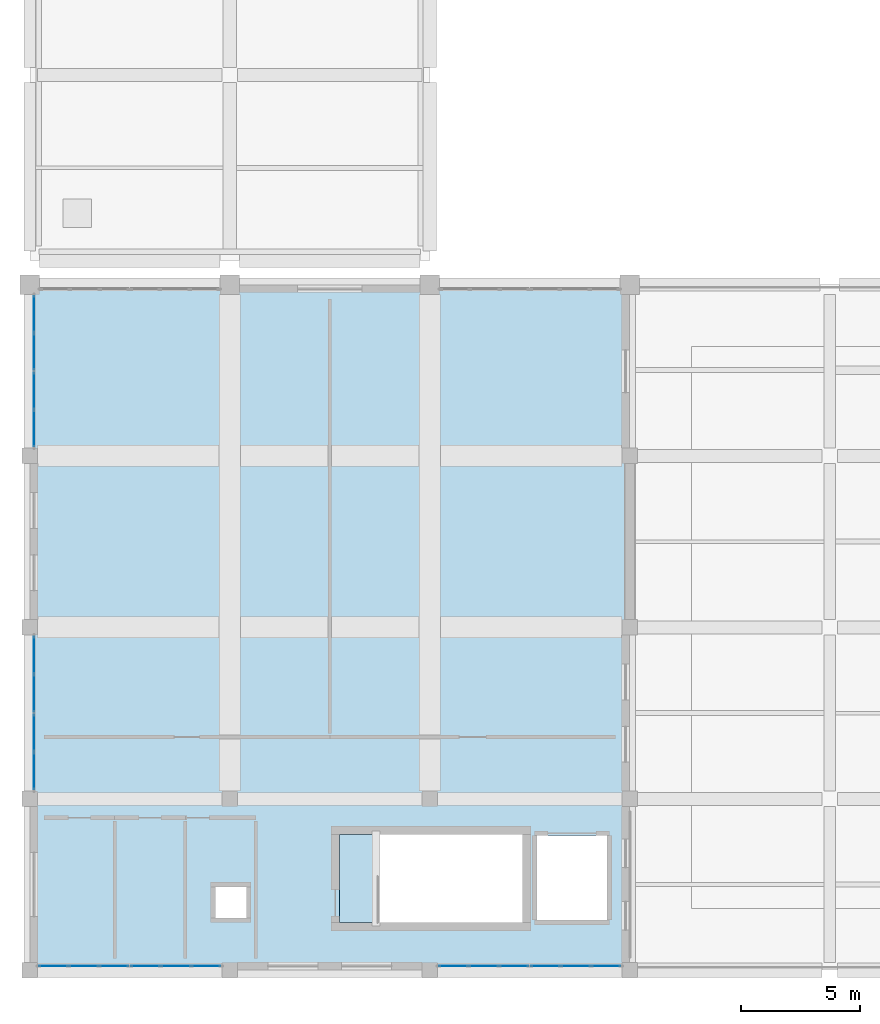
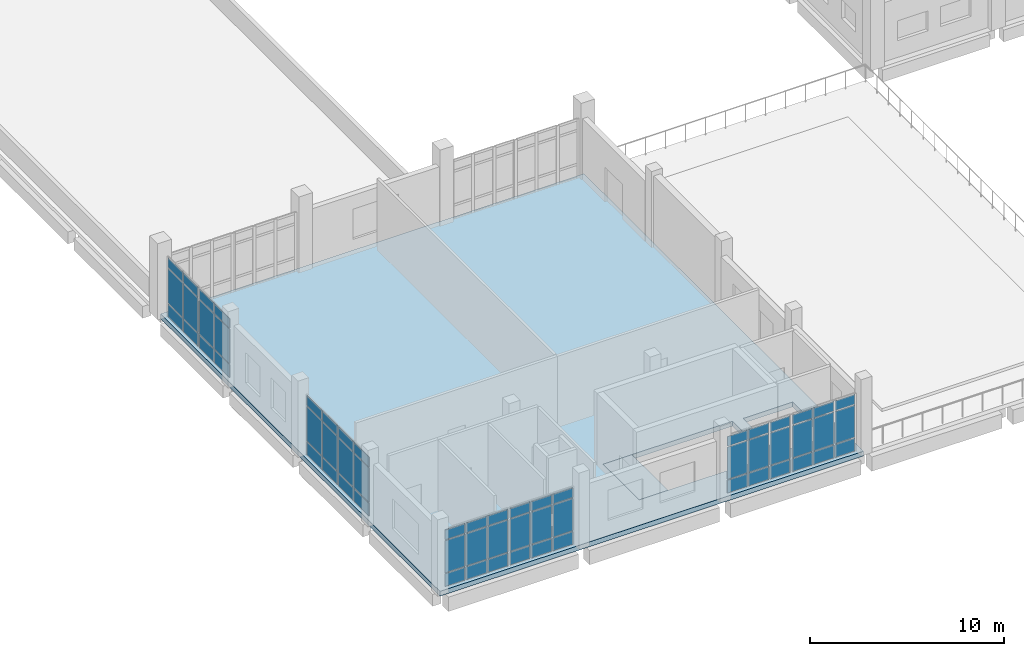
# One storey, part 36 of 73: 60 plates, 2 slabs, 8 elements without a shape of their own.
"""IFC4 building model written with IfcOpenShell, lengths in metres."""

from ifc_helpers import new_model, si_unit, direction, frame, origin, origin_2d, place, context, subcontext, project, spatial, polyline, rectangle, outline, extrude, material, layer, layer_set, type_object, element, aggregate, save


model = new_model("IFC4")

# Units and contexts
model_context = context("Model", 3, precision=1e-05, world=origin(), true_north=direction((0.0, 1.0)))
body_context = subcontext(model_context, "Body", "Model", "MODEL_VIEW")
ifc_project = project(units=[si_unit("LENGTHUNIT", "METRE"), si_unit("AREAUNIT", "SQUARE_METRE"), si_unit("VOLUMEUNIT", "CUBIC_METRE"), si_unit("PLANEANGLEUNIT", "RADIAN"), si_unit("MASSUNIT", "GRAM", prefix="KILO")], contexts=[model_context])

# Site, building, storey
site_placement = place(None, origin())
site = spatial("IfcSite", under=ifc_project, at=site_placement, CompositionType="ELEMENT")
building_placement = place(site_placement, origin())
building = spatial("IfcBuilding", under=site, at=building_placement, Name="Kelarvand Opera House", CompositionType="ELEMENT")
storey_placement = place(building_placement, frame((0.0, 0.0, 10.199951171875)))
storey = spatial("IfcBuildingStorey", under=building, at=storey_placement, Name="L02", CompositionType="ELEMENT", Elevation=10.199951171875)

# Slab
ifc_material_1 = material(Name="Concrete C35/45", Category="concrete")
ifc_layer_1 = layer(ifc_material_1, 0.219970703125, Name="Concrete C35/45", Category="concrete")
ifc_layer_set_1 = layer_set([ifc_layer_1], Name="Concrete C35/45")
slab_type_1 = type_object("IfcSlabType", Name="Core Stair Entry Landing Slab 220", PredefinedType="LANDING", material=ifc_layer_set_1)
slab_1_placement = place(storey_placement, frame((0.0, 0.0, -0.219970703125)))
element("IfcSlab", 1, at=slab_1_placement, inside=storey, type_object=slab_type_1, Name="C6 Stair Entry Landing L02", PredefinedType="LANDING", context=body_context, shape_type="SweptSolid", body=[
    extrude(outline(polyline([(22.0, 11.0), (23.719970703125, 11.0), (23.719970703125, 14.699951171875), (22.0, 14.699951171875), (22.0, 11.0)])), origin(), (0.0, 0.0, 1.0), 0.219970703125),
])

# Curtain wall, plates
ifc_material_2 = material(Name="Thermally broken aluminium and low-E glazing", Category="aluminium")
ifc_layer_2 = layer(ifc_material_2, 0.179931640625, Name="Thermally broken aluminium and low-E glazing", Category="aluminium")
ifc_layer_set_2 = layer_set([ifc_layer_2], Name="Thermally broken aluminium and low-E glazing")
curtain_wall_type_1 = type_object("IfcCurtainWallType", Name="Unitised Low-E Curtain Wall 3261x3830 Mod 1350 CWF-34", PredefinedType="USERDEFINED", material=ifc_layer_set_2)
curtain_wall_1_placement = place(storey_placement, origin())
curtain_wall_1 = element("IfcCurtainWall", 2, at=curtain_wall_1_placement, inside=storey, type_object=curtain_wall_type_1, Name="V4 L02 Curtain Wall CWF-34 (155)", ObjectType="UNITISED CURTAIN WALL", PredefinedType="USERDEFINED")
ifc_material_3 = material(Name="Low-E laminated double glazing", Category="glass")
ifc_layer_3 = layer(ifc_material_3, 0.031982421875, Name="Low-E laminated double glazing", Category="glass")
ifc_layer_set_3 = layer_set([ifc_layer_3], Name="Low-E laminated double glazing")
plate_type = type_object("IfcPlateType", Name="Low-E Argon Double Glazed Curtain Panel 32mm", PredefinedType="CURTAIN_PANEL", material=ifc_layer_set_3)
plate_1_placement = place(storey_placement, frame((9.179931640625, 17.366455078125, 0.06494140625), z_axis=(0.0, 0.0, 1.0), x_axis=(0.0, 1.0, 0.0)))
plate_1 = element("IfcPlate", 3, at=plate_1_placement, type_object=plate_type, Name="CWF-34 panel 1.1", PredefinedType="CURTAIN_PANEL", context=body_context, shape_type="SweptSolid", body=[
    extrude(rectangle(XDim=1.532958984375, YDim=0.031982421875, at=origin_2d()), origin(), (0.0, 0.0, 1.0), 0.802490234375),
])
plate_2_placement = place(storey_placement, frame((9.179931640625, 17.366455078125, 0.9326171875), z_axis=(0.0, 0.0, 1.0), x_axis=(0.0, 1.0, 0.0)))
plate_2 = element("IfcPlate", 4, at=plate_2_placement, type_object=plate_type, Name="CWF-34 panel 1.2", PredefinedType="CURTAIN_PANEL", context=body_context, shape_type="SweptSolid", body=[
    extrude(rectangle(XDim=1.532958984375, YDim=0.031982421875, at=origin_2d()), origin(), (0.0, 0.0, 1.0), 2.1650390625),
])
plate_3_placement = place(storey_placement, frame((9.179931640625, 17.366455078125, 3.16259765625), z_axis=(0.0, 0.0, 1.0), x_axis=(0.0, 1.0, 0.0)))
plate_3 = element("IfcPlate", 5, at=plate_3_placement, type_object=plate_type, Name="CWF-34 panel 1.3", PredefinedType="CURTAIN_PANEL", context=body_context, shape_type="SweptSolid", body=[
    extrude(rectangle(XDim=1.532958984375, YDim=0.031982421875, at=origin_2d()), origin(), (0.0, 0.0, 1.0), 0.6025390625),
])
plate_4_placement = place(storey_placement, frame((9.179931640625, 18.964599609375, 0.06494140625), z_axis=(0.0, 0.0, 1.0), x_axis=(0.0, 1.0, 0.0)))
plate_4 = element("IfcPlate", 6, at=plate_4_placement, type_object=plate_type, Name="CWF-34 panel 2.1", PredefinedType="CURTAIN_PANEL", context=body_context, shape_type="SweptSolid", body=[
    extrude(rectangle(XDim=1.532958984375, YDim=0.031982421875, at=origin_2d()), origin(), (0.0, 0.0, 1.0), 0.802490234375),
])
plate_5_placement = place(storey_placement, frame((9.179931640625, 18.964599609375, 0.9326171875), z_axis=(0.0, 0.0, 1.0), x_axis=(0.0, 1.0, 0.0)))
plate_5 = element("IfcPlate", 7, at=plate_5_placement, type_object=plate_type, Name="CWF-34 panel 2.2", PredefinedType="CURTAIN_PANEL", context=body_context, shape_type="SweptSolid", body=[
    extrude(rectangle(XDim=1.532958984375, YDim=0.031982421875, at=origin_2d()), origin(), (0.0, 0.0, 1.0), 2.1650390625),
])
plate_6_placement = place(storey_placement, frame((9.179931640625, 18.964599609375, 3.16259765625), z_axis=(0.0, 0.0, 1.0), x_axis=(0.0, 1.0, 0.0)))
plate_6 = element("IfcPlate", 8, at=plate_6_placement, type_object=plate_type, Name="CWF-34 panel 2.3", PredefinedType="CURTAIN_PANEL", context=body_context, shape_type="SweptSolid", body=[
    extrude(rectangle(XDim=1.532958984375, YDim=0.031982421875, at=origin_2d()), origin(), (0.0, 0.0, 1.0), 0.6025390625),
])
aggregate(curtain_wall_1, [plate_1, plate_2, plate_3, plate_4, plate_5, plate_6])

curtain_wall_2_placement = place(storey_placement, origin())
curtain_wall_2 = element("IfcCurtainWall", 9, at=curtain_wall_2_placement, inside=storey, type_object=curtain_wall_type_1, Name="V4 L02 Curtain Wall CWF-34 (156)", ObjectType="UNITISED CURTAIN WALL", PredefinedType="USERDEFINED")
plate_7_placement = place(storey_placement, frame((9.179931640625, 20.632568359375, 0.06494140625), z_axis=(0.0, 0.0, 1.0), x_axis=(0.0, 1.0, 0.0)))
plate_7 = element("IfcPlate", 10, at=plate_7_placement, type_object=plate_type, Name="CWF-34 panel 1.1", PredefinedType="CURTAIN_PANEL", context=body_context, shape_type="SweptSolid", body=[
    extrude(rectangle(XDim=1.534912109375, YDim=0.031982421875, at=origin_2d()), origin(), (0.0, 0.0, 1.0), 0.802490234375),
])
plate_8_placement = place(storey_placement, frame((9.179931640625, 20.632568359375, 0.9326171875), z_axis=(0.0, 0.0, 1.0), x_axis=(0.0, 1.0, 0.0)))
plate_8 = element("IfcPlate", 11, at=plate_8_placement, type_object=plate_type, Name="CWF-34 panel 1.2", PredefinedType="CURTAIN_PANEL", context=body_context, shape_type="SweptSolid", body=[
    extrude(rectangle(XDim=1.534912109375, YDim=0.031982421875, at=origin_2d()), origin(), (0.0, 0.0, 1.0), 2.1650390625),
])
plate_9_placement = place(storey_placement, frame((9.179931640625, 20.632568359375, 3.16259765625), z_axis=(0.0, 0.0, 1.0), x_axis=(0.0, 1.0, 0.0)))
plate_9 = element("IfcPlate", 12, at=plate_9_placement, type_object=plate_type, Name="CWF-34 panel 1.3", PredefinedType="CURTAIN_PANEL", context=body_context, shape_type="SweptSolid", body=[
    extrude(rectangle(XDim=1.534912109375, YDim=0.031982421875, at=origin_2d()), origin(), (0.0, 0.0, 1.0), 0.6025390625),
])
plate_10_placement = place(storey_placement, frame((9.179931640625, 22.232421875, 0.06494140625), z_axis=(0.0, 0.0, 1.0), x_axis=(0.0, 1.0, 0.0)))
plate_10 = element("IfcPlate", 13, at=plate_10_placement, type_object=plate_type, Name="CWF-34 panel 2.1", PredefinedType="CURTAIN_PANEL", context=body_context, shape_type="SweptSolid", body=[
    extrude(rectangle(XDim=1.534912109375, YDim=0.031982421875, at=origin_2d()), origin(), (0.0, 0.0, 1.0), 0.802490234375),
])
plate_11_placement = place(storey_placement, frame((9.179931640625, 22.232421875, 0.9326171875), z_axis=(0.0, 0.0, 1.0), x_axis=(0.0, 1.0, 0.0)))
plate_11 = element("IfcPlate", 14, at=plate_11_placement, type_object=plate_type, Name="CWF-34 panel 2.2", PredefinedType="CURTAIN_PANEL", context=body_context, shape_type="SweptSolid", body=[
    extrude(rectangle(XDim=1.534912109375, YDim=0.031982421875, at=origin_2d()), origin(), (0.0, 0.0, 1.0), 2.1650390625),
])
plate_12_placement = place(storey_placement, frame((9.179931640625, 22.232421875, 3.16259765625), z_axis=(0.0, 0.0, 1.0), x_axis=(0.0, 1.0, 0.0)))
plate_12 = element("IfcPlate", 15, at=plate_12_placement, type_object=plate_type, Name="CWF-34 panel 2.3", PredefinedType="CURTAIN_PANEL", context=body_context, shape_type="SweptSolid", body=[
    extrude(rectangle(XDim=1.534912109375, YDim=0.031982421875, at=origin_2d()), origin(), (0.0, 0.0, 1.0), 0.6025390625),
])
aggregate(curtain_wall_2, [plate_7, plate_8, plate_9, plate_10, plate_11, plate_12])

ifc_layer_4 = layer(ifc_material_2, 0.179931640625, Name="Thermally broken aluminium and low-E glazing", Category="aluminium")
ifc_layer_set_4 = layer_set([ifc_layer_4], Name="Thermally broken aluminium and low-E glazing")
curtain_wall_type_2 = type_object("IfcCurtainWallType", Name="Unitised Low-E Curtain Wall 3219x3830 Mod 1350 CWF-35", PredefinedType="USERDEFINED", material=ifc_layer_set_4)
curtain_wall_3_placement = place(storey_placement, origin())
curtain_wall_3 = element("IfcCurtainWall", 16, at=curtain_wall_3_placement, inside=storey, type_object=curtain_wall_type_2, Name="V4 L02 Curtain Wall CWF-35 (157)", ObjectType="UNITISED CURTAIN WALL", PredefinedType="USERDEFINED")
plate_13_placement = place(storey_placement, frame((9.179931640625, 31.755859375, 0.06494140625), z_axis=(0.0, 0.0, 1.0), x_axis=(0.0, 1.0, 0.0)))
plate_13 = element("IfcPlate", 17, at=plate_13_placement, type_object=plate_type, Name="CWF-35 panel 1.1", PredefinedType="CURTAIN_PANEL", context=body_context, shape_type="SweptSolid", body=[
    extrude(rectangle(XDim=1.51171875, YDim=0.031982421875, at=origin_2d()), origin(), (0.0, 0.0, 1.0), 0.802490234375),
])
plate_14_placement = place(storey_placement, frame((9.179931640625, 31.755859375, 0.9326171875), z_axis=(0.0, 0.0, 1.0), x_axis=(0.0, 1.0, 0.0)))
plate_14 = element("IfcPlate", 18, at=plate_14_placement, type_object=plate_type, Name="CWF-35 panel 1.2", PredefinedType="CURTAIN_PANEL", context=body_context, shape_type="SweptSolid", body=[
    extrude(rectangle(XDim=1.51171875, YDim=0.031982421875, at=origin_2d()), origin(), (0.0, 0.0, 1.0), 2.1650390625),
])
plate_15_placement = place(storey_placement, frame((9.179931640625, 31.755859375, 3.16259765625), z_axis=(0.0, 0.0, 1.0), x_axis=(0.0, 1.0, 0.0)))
plate_15 = element("IfcPlate", 19, at=plate_15_placement, type_object=plate_type, Name="CWF-35 panel 1.3", PredefinedType="CURTAIN_PANEL", context=body_context, shape_type="SweptSolid", body=[
    extrude(rectangle(XDim=1.51171875, YDim=0.031982421875, at=origin_2d()), origin(), (0.0, 0.0, 1.0), 0.6025390625),
])
plate_16_placement = place(storey_placement, frame((9.179931640625, 33.33251953125, 0.06494140625), z_axis=(0.0, 0.0, 1.0), x_axis=(0.0, 1.0, 0.0)))
plate_16 = element("IfcPlate", 20, at=plate_16_placement, type_object=plate_type, Name="CWF-35 panel 2.1", PredefinedType="CURTAIN_PANEL", context=body_context, shape_type="SweptSolid", body=[
    extrude(rectangle(XDim=1.51171875, YDim=0.031982421875, at=origin_2d()), origin(), (0.0, 0.0, 1.0), 0.802490234375),
])
plate_17_placement = place(storey_placement, frame((9.179931640625, 33.33251953125, 0.9326171875), z_axis=(0.0, 0.0, 1.0), x_axis=(0.0, 1.0, 0.0)))
plate_17 = element("IfcPlate", 21, at=plate_17_placement, type_object=plate_type, Name="CWF-35 panel 2.2", PredefinedType="CURTAIN_PANEL", context=body_context, shape_type="SweptSolid", body=[
    extrude(rectangle(XDim=1.51171875, YDim=0.031982421875, at=origin_2d()), origin(), (0.0, 0.0, 1.0), 2.1650390625),
])
plate_18_placement = place(storey_placement, frame((9.179931640625, 33.33251953125, 3.16259765625), z_axis=(0.0, 0.0, 1.0), x_axis=(0.0, 1.0, 0.0)))
plate_18 = element("IfcPlate", 22, at=plate_18_placement, type_object=plate_type, Name="CWF-35 panel 2.3", PredefinedType="CURTAIN_PANEL", context=body_context, shape_type="SweptSolid", body=[
    extrude(rectangle(XDim=1.51171875, YDim=0.031982421875, at=origin_2d()), origin(), (0.0, 0.0, 1.0), 0.6025390625),
])
aggregate(curtain_wall_3, [plate_13, plate_14, plate_15, plate_16, plate_17, plate_18])

curtain_wall_4_placement = place(storey_placement, origin())
curtain_wall_4 = element("IfcCurtainWall", 23, at=curtain_wall_4_placement, inside=storey, type_object=curtain_wall_type_2, Name="V4 L02 Curtain Wall CWF-35 (158)", ObjectType="UNITISED CURTAIN WALL", PredefinedType="USERDEFINED")
plate_19_placement = place(storey_placement, frame((9.179931640625, 34.9794921875, 0.06494140625), z_axis=(0.0, 0.0, 1.0), x_axis=(0.0, 1.0, 0.0)))
plate_19 = element("IfcPlate", 24, at=plate_19_placement, type_object=plate_type, Name="CWF-35 panel 1.1", PredefinedType="CURTAIN_PANEL", context=body_context, shape_type="SweptSolid", body=[
    extrude(rectangle(XDim=1.513671875, YDim=0.031982421875, at=origin_2d()), origin(), (0.0, 0.0, 1.0), 0.802490234375),
])
plate_20_placement = place(storey_placement, frame((9.179931640625, 34.9794921875, 0.9326171875), z_axis=(0.0, 0.0, 1.0), x_axis=(0.0, 1.0, 0.0)))
plate_20 = element("IfcPlate", 25, at=plate_20_placement, type_object=plate_type, Name="CWF-35 panel 1.2", PredefinedType="CURTAIN_PANEL", context=body_context, shape_type="SweptSolid", body=[
    extrude(rectangle(XDim=1.513671875, YDim=0.031982421875, at=origin_2d()), origin(), (0.0, 0.0, 1.0), 2.1650390625),
])
plate_21_placement = place(storey_placement, frame((9.179931640625, 34.9794921875, 3.16259765625), z_axis=(0.0, 0.0, 1.0), x_axis=(0.0, 1.0, 0.0)))
plate_21 = element("IfcPlate", 26, at=plate_21_placement, type_object=plate_type, Name="CWF-35 panel 1.3", PredefinedType="CURTAIN_PANEL", context=body_context, shape_type="SweptSolid", body=[
    extrude(rectangle(XDim=1.513671875, YDim=0.031982421875, at=origin_2d()), origin(), (0.0, 0.0, 1.0), 0.6025390625),
])
plate_22_placement = place(storey_placement, frame((9.179931640625, 36.55810546875, 0.06494140625), z_axis=(0.0, 0.0, 1.0), x_axis=(0.0, 1.0, 0.0)))
plate_22 = element("IfcPlate", 27, at=plate_22_placement, type_object=plate_type, Name="CWF-35 panel 2.1", PredefinedType="CURTAIN_PANEL", context=body_context, shape_type="SweptSolid", body=[
    extrude(rectangle(XDim=1.513671875, YDim=0.031982421875, at=origin_2d()), origin(), (0.0, 0.0, 1.0), 0.802490234375),
])
plate_23_placement = place(storey_placement, frame((9.179931640625, 36.55810546875, 0.9326171875), z_axis=(0.0, 0.0, 1.0), x_axis=(0.0, 1.0, 0.0)))
plate_23 = element("IfcPlate", 28, at=plate_23_placement, type_object=plate_type, Name="CWF-35 panel 2.2", PredefinedType="CURTAIN_PANEL", context=body_context, shape_type="SweptSolid", body=[
    extrude(rectangle(XDim=1.513671875, YDim=0.031982421875, at=origin_2d()), origin(), (0.0, 0.0, 1.0), 2.1650390625),
])
plate_24_placement = place(storey_placement, frame((9.179931640625, 36.55810546875, 3.16259765625), z_axis=(0.0, 0.0, 1.0), x_axis=(0.0, 1.0, 0.0)))
plate_24 = element("IfcPlate", 29, at=plate_24_placement, type_object=plate_type, Name="CWF-35 panel 2.3", PredefinedType="CURTAIN_PANEL", context=body_context, shape_type="SweptSolid", body=[
    extrude(rectangle(XDim=1.513671875, YDim=0.031982421875, at=origin_2d()), origin(), (0.0, 0.0, 1.0), 0.6025390625),
])
aggregate(curtain_wall_4, [plate_19, plate_20, plate_21, plate_22, plate_23, plate_24])

ifc_layer_5 = layer(ifc_material_2, 0.179931640625, Name="Thermally broken aluminium and low-E glazing", Category="aluminium")
ifc_layer_set_5 = layer_set([ifc_layer_5], Name="Thermally broken aluminium and low-E glazing")
curtain_wall_type_3 = type_object("IfcCurtainWallType", Name="Unitised Low-E Curtain Wall 3861x3680 Mod 1350 CWF-36", PredefinedType="USERDEFINED", material=ifc_layer_set_5)
curtain_wall_5_placement = place(storey_placement, origin())
curtain_wall_5 = element("IfcCurtainWall", 30, at=curtain_wall_5_placement, inside=storey, type_object=curtain_wall_type_3, Name="V4 L02 Curtain Wall CWF-36 (159)", ObjectType="UNITISED CURTAIN WALL", PredefinedType="USERDEFINED")
plate_25_placement = place(storey_placement, frame((33.205322265625, 9.179931640625, 0.06494140625), z_axis=(0.0, 0.0, 1.0), x_axis=(-1.0, 0.0, 0.0)))
plate_25 = element("IfcPlate", 31, at=plate_25_placement, type_object=plate_type, Name="CWF-36 panel 1.1", PredefinedType="CURTAIN_PANEL", context=body_context, shape_type="SweptSolid", body=[
    extrude(rectangle(XDim=1.189453125, YDim=0.031982421875, at=origin_2d()), origin(), (0.0, 0.0, 1.0), 0.802490234375),
])
plate_26_placement = place(storey_placement, frame((33.205322265625, 9.179931640625, 0.9326171875), z_axis=(0.0, 0.0, 1.0), x_axis=(-1.0, 0.0, 0.0)))
plate_26 = element("IfcPlate", 32, at=plate_26_placement, type_object=plate_type, Name="CWF-36 panel 1.2", PredefinedType="CURTAIN_PANEL", context=body_context, shape_type="SweptSolid", body=[
    extrude(rectangle(XDim=1.189453125, YDim=0.031982421875, at=origin_2d()), origin(), (0.0, 0.0, 1.0), 2.014892578125),
])
plate_27_placement = place(storey_placement, frame((33.205322265625, 9.179931640625, 3.012451171875), z_axis=(0.0, 0.0, 1.0), x_axis=(-1.0, 0.0, 0.0)))
plate_27 = element("IfcPlate", 33, at=plate_27_placement, type_object=plate_type, Name="CWF-36 panel 1.3", PredefinedType="CURTAIN_PANEL", context=body_context, shape_type="SweptSolid", body=[
    extrude(rectangle(XDim=1.189453125, YDim=0.031982421875, at=origin_2d()), origin(), (0.0, 0.0, 1.0), 0.6025390625),
])
plate_28_placement = place(storey_placement, frame((31.9345703125, 9.179931640625, 0.06494140625), z_axis=(0.0, 0.0, 1.0), x_axis=(-1.0, 0.0, 0.0)))
plate_28 = element("IfcPlate", 34, at=plate_28_placement, type_object=plate_type, Name="CWF-36 panel 2.1", PredefinedType="CURTAIN_PANEL", context=body_context, shape_type="SweptSolid", body=[
    extrude(rectangle(XDim=1.221923828125, YDim=0.031982421875, at=origin_2d()), origin(), (0.0, 0.0, 1.0), 0.802490234375),
])
plate_29_placement = place(storey_placement, frame((31.9345703125, 9.179931640625, 0.9326171875), z_axis=(0.0, 0.0, 1.0), x_axis=(-1.0, 0.0, 0.0)))
plate_29 = element("IfcPlate", 35, at=plate_29_placement, type_object=plate_type, Name="CWF-36 panel 2.2", PredefinedType="CURTAIN_PANEL", context=body_context, shape_type="SweptSolid", body=[
    extrude(rectangle(XDim=1.221923828125, YDim=0.031982421875, at=origin_2d()), origin(), (0.0, 0.0, 1.0), 2.014892578125),
])
plate_30_placement = place(storey_placement, frame((31.9345703125, 9.179931640625, 3.012451171875), z_axis=(0.0, 0.0, 1.0), x_axis=(-1.0, 0.0, 0.0)))
plate_30 = element("IfcPlate", 36, at=plate_30_placement, type_object=plate_type, Name="CWF-36 panel 2.3", PredefinedType="CURTAIN_PANEL", context=body_context, shape_type="SweptSolid", body=[
    extrude(rectangle(XDim=1.221923828125, YDim=0.031982421875, at=origin_2d()), origin(), (0.0, 0.0, 1.0), 0.6025390625),
])
plate_31_placement = place(storey_placement, frame((30.663818359375, 9.179931640625, 0.06494140625), z_axis=(0.0, 0.0, 1.0), x_axis=(-1.0, 0.0, 0.0)))
plate_31 = element("IfcPlate", 37, at=plate_31_placement, type_object=plate_type, Name="CWF-36 panel 3.1", PredefinedType="CURTAIN_PANEL", context=body_context, shape_type="SweptSolid", body=[
    extrude(rectangle(XDim=1.189453125, YDim=0.031982421875, at=origin_2d()), origin(), (0.0, 0.0, 1.0), 0.802490234375),
])
plate_32_placement = place(storey_placement, frame((30.663818359375, 9.179931640625, 0.9326171875), z_axis=(0.0, 0.0, 1.0), x_axis=(-1.0, 0.0, 0.0)))
plate_32 = element("IfcPlate", 38, at=plate_32_placement, type_object=plate_type, Name="CWF-36 panel 3.2", PredefinedType="CURTAIN_PANEL", context=body_context, shape_type="SweptSolid", body=[
    extrude(rectangle(XDim=1.189453125, YDim=0.031982421875, at=origin_2d()), origin(), (0.0, 0.0, 1.0), 2.014892578125),
])
plate_33_placement = place(storey_placement, frame((30.663818359375, 9.179931640625, 3.012451171875), z_axis=(0.0, 0.0, 1.0), x_axis=(-1.0, 0.0, 0.0)))
plate_33 = element("IfcPlate", 39, at=plate_33_placement, type_object=plate_type, Name="CWF-36 panel 3.3", PredefinedType="CURTAIN_PANEL", context=body_context, shape_type="SweptSolid", body=[
    extrude(rectangle(XDim=1.189453125, YDim=0.031982421875, at=origin_2d()), origin(), (0.0, 0.0, 1.0), 0.6025390625),
])
aggregate(curtain_wall_5, [plate_25, plate_26, plate_27, plate_28, plate_29, plate_30, plate_31, plate_32, plate_33])

curtain_wall_6_placement = place(storey_placement, origin())
curtain_wall_6 = element("IfcCurtainWall", 40, at=curtain_wall_6_placement, inside=storey, type_object=curtain_wall_type_3, Name="V4 L02 Curtain Wall CWF-36 (160)", ObjectType="UNITISED CURTAIN WALL", PredefinedType="USERDEFINED")
plate_34_placement = place(storey_placement, frame((29.339599609375, 9.179931640625, 0.06494140625), z_axis=(0.0, 0.0, 1.0), x_axis=(-1.0, 0.0, 0.0)))
plate_34 = element("IfcPlate", 41, at=plate_34_placement, type_object=plate_type, Name="CWF-36 panel 1.1", PredefinedType="CURTAIN_PANEL", context=body_context, shape_type="SweptSolid", body=[
    extrude(rectangle(XDim=1.19091796875, YDim=0.031982421875, at=origin_2d()), origin(), (0.0, 0.0, 1.0), 0.802490234375),
])
plate_35_placement = place(storey_placement, frame((29.339599609375, 9.179931640625, 0.9326171875), z_axis=(0.0, 0.0, 1.0), x_axis=(-1.0, 0.0, 0.0)))
plate_35 = element("IfcPlate", 42, at=plate_35_placement, type_object=plate_type, Name="CWF-36 panel 1.2", PredefinedType="CURTAIN_PANEL", context=body_context, shape_type="SweptSolid", body=[
    extrude(rectangle(XDim=1.19091796875, YDim=0.031982421875, at=origin_2d()), origin(), (0.0, 0.0, 1.0), 2.014892578125),
])
plate_36_placement = place(storey_placement, frame((29.339599609375, 9.179931640625, 3.012451171875), z_axis=(0.0, 0.0, 1.0), x_axis=(-1.0, 0.0, 0.0)))
plate_36 = element("IfcPlate", 43, at=plate_36_placement, type_object=plate_type, Name="CWF-36 panel 1.3", PredefinedType="CURTAIN_PANEL", context=body_context, shape_type="SweptSolid", body=[
    extrude(rectangle(XDim=1.19091796875, YDim=0.031982421875, at=origin_2d()), origin(), (0.0, 0.0, 1.0), 0.6025390625),
])
plate_37_placement = place(storey_placement, frame((28.0673828125, 9.179931640625, 0.06494140625), z_axis=(0.0, 0.0, 1.0), x_axis=(-1.0, 0.0, 0.0)))
plate_37 = element("IfcPlate", 44, at=plate_37_placement, type_object=plate_type, Name="CWF-36 panel 2.1", PredefinedType="CURTAIN_PANEL", context=body_context, shape_type="SweptSolid", body=[
    extrude(rectangle(XDim=1.223388671875, YDim=0.031982421875, at=origin_2d()), origin(), (0.0, 0.0, 1.0), 0.802490234375),
])
plate_38_placement = place(storey_placement, frame((28.0673828125, 9.179931640625, 0.9326171875), z_axis=(0.0, 0.0, 1.0), x_axis=(-1.0, 0.0, 0.0)))
plate_38 = element("IfcPlate", 45, at=plate_38_placement, type_object=plate_type, Name="CWF-36 panel 2.2", PredefinedType="CURTAIN_PANEL", context=body_context, shape_type="SweptSolid", body=[
    extrude(rectangle(XDim=1.223388671875, YDim=0.031982421875, at=origin_2d()), origin(), (0.0, 0.0, 1.0), 2.014892578125),
])
plate_39_placement = place(storey_placement, frame((28.0673828125, 9.179931640625, 3.012451171875), z_axis=(0.0, 0.0, 1.0), x_axis=(-1.0, 0.0, 0.0)))
plate_39 = element("IfcPlate", 46, at=plate_39_placement, type_object=plate_type, Name="CWF-36 panel 2.3", PredefinedType="CURTAIN_PANEL", context=body_context, shape_type="SweptSolid", body=[
    extrude(rectangle(XDim=1.223388671875, YDim=0.031982421875, at=origin_2d()), origin(), (0.0, 0.0, 1.0), 0.6025390625),
])
plate_40_placement = place(storey_placement, frame((26.79541015625, 9.179931640625, 0.06494140625), z_axis=(0.0, 0.0, 1.0), x_axis=(-1.0, 0.0, 0.0)))
plate_40 = element("IfcPlate", 47, at=plate_40_placement, type_object=plate_type, Name="CWF-36 panel 3.1", PredefinedType="CURTAIN_PANEL", context=body_context, shape_type="SweptSolid", body=[
    extrude(rectangle(XDim=1.19091796875, YDim=0.031982421875, at=origin_2d()), origin(), (0.0, 0.0, 1.0), 0.802490234375),
])
plate_41_placement = place(storey_placement, frame((26.79541015625, 9.179931640625, 0.9326171875), z_axis=(0.0, 0.0, 1.0), x_axis=(-1.0, 0.0, 0.0)))
plate_41 = element("IfcPlate", 48, at=plate_41_placement, type_object=plate_type, Name="CWF-36 panel 3.2", PredefinedType="CURTAIN_PANEL", context=body_context, shape_type="SweptSolid", body=[
    extrude(rectangle(XDim=1.19091796875, YDim=0.031982421875, at=origin_2d()), origin(), (0.0, 0.0, 1.0), 2.014892578125),
])
plate_42_placement = place(storey_placement, frame((26.79541015625, 9.179931640625, 3.012451171875), z_axis=(0.0, 0.0, 1.0), x_axis=(-1.0, 0.0, 0.0)))
plate_42 = element("IfcPlate", 49, at=plate_42_placement, type_object=plate_type, Name="CWF-36 panel 3.3", PredefinedType="CURTAIN_PANEL", context=body_context, shape_type="SweptSolid", body=[
    extrude(rectangle(XDim=1.19091796875, YDim=0.031982421875, at=origin_2d()), origin(), (0.0, 0.0, 1.0), 0.6025390625),
])
aggregate(curtain_wall_6, [plate_34, plate_35, plate_36, plate_37, plate_38, plate_39, plate_40, plate_41, plate_42])

curtain_wall_7_placement = place(storey_placement, origin())
curtain_wall_7 = element("IfcCurtainWall", 50, at=curtain_wall_7_placement, inside=storey, type_object=curtain_wall_type_3, Name="V4 L02 Curtain Wall CWF-36 (161)", ObjectType="UNITISED CURTAIN WALL", PredefinedType="USERDEFINED")
plate_43_placement = place(storey_placement, frame((16.4052734375, 9.179931640625, 0.06494140625), z_axis=(0.0, 0.0, 1.0), x_axis=(-1.0, 0.0, 0.0)))
plate_43 = element("IfcPlate", 51, at=plate_43_placement, type_object=plate_type, Name="CWF-36 panel 1.1", PredefinedType="CURTAIN_PANEL", context=body_context, shape_type="SweptSolid", body=[
    extrude(rectangle(XDim=1.189453125, YDim=0.031982421875, at=origin_2d()), origin(), (0.0, 0.0, 1.0), 0.802490234375),
])
plate_44_placement = place(storey_placement, frame((16.4052734375, 9.179931640625, 0.9326171875), z_axis=(0.0, 0.0, 1.0), x_axis=(-1.0, 0.0, 0.0)))
plate_44 = element("IfcPlate", 52, at=plate_44_placement, type_object=plate_type, Name="CWF-36 panel 1.2", PredefinedType="CURTAIN_PANEL", context=body_context, shape_type="SweptSolid", body=[
    extrude(rectangle(XDim=1.189453125, YDim=0.031982421875, at=origin_2d()), origin(), (0.0, 0.0, 1.0), 2.014892578125),
])
plate_45_placement = place(storey_placement, frame((16.4052734375, 9.179931640625, 3.012451171875), z_axis=(0.0, 0.0, 1.0), x_axis=(-1.0, 0.0, 0.0)))
plate_45 = element("IfcPlate", 53, at=plate_45_placement, type_object=plate_type, Name="CWF-36 panel 1.3", PredefinedType="CURTAIN_PANEL", context=body_context, shape_type="SweptSolid", body=[
    extrude(rectangle(XDim=1.189453125, YDim=0.031982421875, at=origin_2d()), origin(), (0.0, 0.0, 1.0), 0.6025390625),
])
plate_46_placement = place(storey_placement, frame((15.134521484375, 9.179931640625, 0.06494140625), z_axis=(0.0, 0.0, 1.0), x_axis=(-1.0, 0.0, 0.0)))
plate_46 = element("IfcPlate", 54, at=plate_46_placement, type_object=plate_type, Name="CWF-36 panel 2.1", PredefinedType="CURTAIN_PANEL", context=body_context, shape_type="SweptSolid", body=[
    extrude(rectangle(XDim=1.221923828125, YDim=0.031982421875, at=origin_2d()), origin(), (0.0, 0.0, 1.0), 0.802490234375),
])
plate_47_placement = place(storey_placement, frame((15.134521484375, 9.179931640625, 0.9326171875), z_axis=(0.0, 0.0, 1.0), x_axis=(-1.0, 0.0, 0.0)))
plate_47 = element("IfcPlate", 55, at=plate_47_placement, type_object=plate_type, Name="CWF-36 panel 2.2", PredefinedType="CURTAIN_PANEL", context=body_context, shape_type="SweptSolid", body=[
    extrude(rectangle(XDim=1.221923828125, YDim=0.031982421875, at=origin_2d()), origin(), (0.0, 0.0, 1.0), 2.014892578125),
])
plate_48_placement = place(storey_placement, frame((15.134521484375, 9.179931640625, 3.012451171875), z_axis=(0.0, 0.0, 1.0), x_axis=(-1.0, 0.0, 0.0)))
plate_48 = element("IfcPlate", 56, at=plate_48_placement, type_object=plate_type, Name="CWF-36 panel 2.3", PredefinedType="CURTAIN_PANEL", context=body_context, shape_type="SweptSolid", body=[
    extrude(rectangle(XDim=1.221923828125, YDim=0.031982421875, at=origin_2d()), origin(), (0.0, 0.0, 1.0), 0.6025390625),
])
plate_49_placement = place(storey_placement, frame((13.86376953125, 9.179931640625, 0.06494140625), z_axis=(0.0, 0.0, 1.0), x_axis=(-1.0, 0.0, 0.0)))
plate_49 = element("IfcPlate", 57, at=plate_49_placement, type_object=plate_type, Name="CWF-36 panel 3.1", PredefinedType="CURTAIN_PANEL", context=body_context, shape_type="SweptSolid", body=[
    extrude(rectangle(XDim=1.189453125, YDim=0.031982421875, at=origin_2d()), origin(), (0.0, 0.0, 1.0), 0.802490234375),
])
plate_50_placement = place(storey_placement, frame((13.86376953125, 9.179931640625, 0.9326171875), z_axis=(0.0, 0.0, 1.0), x_axis=(-1.0, 0.0, 0.0)))
plate_50 = element("IfcPlate", 58, at=plate_50_placement, type_object=plate_type, Name="CWF-36 panel 3.2", PredefinedType="CURTAIN_PANEL", context=body_context, shape_type="SweptSolid", body=[
    extrude(rectangle(XDim=1.189453125, YDim=0.031982421875, at=origin_2d()), origin(), (0.0, 0.0, 1.0), 2.014892578125),
])
plate_51_placement = place(storey_placement, frame((13.86376953125, 9.179931640625, 3.012451171875), z_axis=(0.0, 0.0, 1.0), x_axis=(-1.0, 0.0, 0.0)))
plate_51 = element("IfcPlate", 59, at=plate_51_placement, type_object=plate_type, Name="CWF-36 panel 3.3", PredefinedType="CURTAIN_PANEL", context=body_context, shape_type="SweptSolid", body=[
    extrude(rectangle(XDim=1.189453125, YDim=0.031982421875, at=origin_2d()), origin(), (0.0, 0.0, 1.0), 0.6025390625),
])
aggregate(curtain_wall_7, [plate_43, plate_44, plate_45, plate_46, plate_47, plate_48, plate_49, plate_50, plate_51])

curtain_wall_8_placement = place(storey_placement, origin())
curtain_wall_8 = element("IfcCurtainWall", 60, at=curtain_wall_8_placement, inside=storey, type_object=curtain_wall_type_3, Name="V4 L02 Curtain Wall CWF-36 (162)", ObjectType="UNITISED CURTAIN WALL", PredefinedType="USERDEFINED")
plate_52_placement = place(storey_placement, frame((12.53955078125, 9.179931640625, 0.06494140625), z_axis=(0.0, 0.0, 1.0), x_axis=(-1.0, 0.0, 0.0)))
plate_52 = element("IfcPlate", 61, at=plate_52_placement, type_object=plate_type, Name="CWF-36 panel 1.1", PredefinedType="CURTAIN_PANEL", context=body_context, shape_type="SweptSolid", body=[
    extrude(rectangle(XDim=1.19091796875, YDim=0.031982421875, at=origin_2d()), origin(), (0.0, 0.0, 1.0), 0.802490234375),
])
plate_53_placement = place(storey_placement, frame((12.53955078125, 9.179931640625, 0.9326171875), z_axis=(0.0, 0.0, 1.0), x_axis=(-1.0, 0.0, 0.0)))
plate_53 = element("IfcPlate", 62, at=plate_53_placement, type_object=plate_type, Name="CWF-36 panel 1.2", PredefinedType="CURTAIN_PANEL", context=body_context, shape_type="SweptSolid", body=[
    extrude(rectangle(XDim=1.19091796875, YDim=0.031982421875, at=origin_2d()), origin(), (0.0, 0.0, 1.0), 2.014892578125),
])
plate_54_placement = place(storey_placement, frame((12.53955078125, 9.179931640625, 3.012451171875), z_axis=(0.0, 0.0, 1.0), x_axis=(-1.0, 0.0, 0.0)))
plate_54 = element("IfcPlate", 63, at=plate_54_placement, type_object=plate_type, Name="CWF-36 panel 1.3", PredefinedType="CURTAIN_PANEL", context=body_context, shape_type="SweptSolid", body=[
    extrude(rectangle(XDim=1.19091796875, YDim=0.031982421875, at=origin_2d()), origin(), (0.0, 0.0, 1.0), 0.6025390625),
])
plate_55_placement = place(storey_placement, frame((11.267578125, 9.179931640625, 0.06494140625), z_axis=(0.0, 0.0, 1.0), x_axis=(-1.0, 0.0, 0.0)))
plate_55 = element("IfcPlate", 64, at=plate_55_placement, type_object=plate_type, Name="CWF-36 panel 2.1", PredefinedType="CURTAIN_PANEL", context=body_context, shape_type="SweptSolid", body=[
    extrude(rectangle(XDim=1.223388671875, YDim=0.031982421875, at=origin_2d()), origin(), (0.0, 0.0, 1.0), 0.802490234375),
])
plate_56_placement = place(storey_placement, frame((11.267578125, 9.179931640625, 0.9326171875), z_axis=(0.0, 0.0, 1.0), x_axis=(-1.0, 0.0, 0.0)))
plate_56 = element("IfcPlate", 65, at=plate_56_placement, type_object=plate_type, Name="CWF-36 panel 2.2", PredefinedType="CURTAIN_PANEL", context=body_context, shape_type="SweptSolid", body=[
    extrude(rectangle(XDim=1.223388671875, YDim=0.031982421875, at=origin_2d()), origin(), (0.0, 0.0, 1.0), 2.014892578125),
])
plate_57_placement = place(storey_placement, frame((11.267578125, 9.179931640625, 3.012451171875), z_axis=(0.0, 0.0, 1.0), x_axis=(-1.0, 0.0, 0.0)))
plate_57 = element("IfcPlate", 66, at=plate_57_placement, type_object=plate_type, Name="CWF-36 panel 2.3", PredefinedType="CURTAIN_PANEL", context=body_context, shape_type="SweptSolid", body=[
    extrude(rectangle(XDim=1.223388671875, YDim=0.031982421875, at=origin_2d()), origin(), (0.0, 0.0, 1.0), 0.6025390625),
])
plate_58_placement = place(storey_placement, frame((9.995361328125, 9.179931640625, 0.06494140625), z_axis=(0.0, 0.0, 1.0), x_axis=(-1.0, 0.0, 0.0)))
plate_58 = element("IfcPlate", 67, at=plate_58_placement, type_object=plate_type, Name="CWF-36 panel 3.1", PredefinedType="CURTAIN_PANEL", context=body_context, shape_type="SweptSolid", body=[
    extrude(rectangle(XDim=1.19091796875, YDim=0.031982421875, at=origin_2d()), origin(), (0.0, 0.0, 1.0), 0.802490234375),
])
plate_59_placement = place(storey_placement, frame((9.995361328125, 9.179931640625, 0.9326171875), z_axis=(0.0, 0.0, 1.0), x_axis=(-1.0, 0.0, 0.0)))
plate_59 = element("IfcPlate", 68, at=plate_59_placement, type_object=plate_type, Name="CWF-36 panel 3.2", PredefinedType="CURTAIN_PANEL", context=body_context, shape_type="SweptSolid", body=[
    extrude(rectangle(XDim=1.19091796875, YDim=0.031982421875, at=origin_2d()), origin(), (0.0, 0.0, 1.0), 2.014892578125),
])
plate_60_placement = place(storey_placement, frame((9.995361328125, 9.179931640625, 3.012451171875), z_axis=(0.0, 0.0, 1.0), x_axis=(-1.0, 0.0, 0.0)))
plate_60 = element("IfcPlate", 69, at=plate_60_placement, type_object=plate_type, Name="CWF-36 panel 3.3", PredefinedType="CURTAIN_PANEL", context=body_context, shape_type="SweptSolid", body=[
    extrude(rectangle(XDim=1.19091796875, YDim=0.031982421875, at=origin_2d()), origin(), (0.0, 0.0, 1.0), 0.6025390625),
])
aggregate(curtain_wall_8, [plate_52, plate_53, plate_54, plate_55, plate_56, plate_57, plate_58, plate_59, plate_60])

# Slab
ifc_layer_6 = layer(ifc_material_1, 0.300048828125, Name="Concrete C35/45", Category="concrete")
ifc_layer_set_6 = layer_set([ifc_layer_6], Name="Concrete C35/45")
slab_type_2 = type_object("IfcSlabType", Name="Suspended Floor Slab 300", PredefinedType="FLOOR", material=ifc_layer_set_6)
slab_2_placement = place(storey_placement, frame((0.0, 0.0, -0.300048828125)))
element("IfcSlab", 70, at=slab_2_placement, inside=storey, type_object=slab_type_2, Name="V4 L02 Structural Slab 32", PredefinedType="FLOOR", context=body_context, shape_type="SweptSolid", body=[
    extrude(outline(polyline([(34.199951171875, 9.0), (34.199951171875, 37.800048828125), (9.0, 37.800048828125), (9.0, 9.0), (34.199951171875, 9.0)]), holes=[polyline([(16.800048828125, 11.199951171875), (16.800048828125, 12.5), (18.10009765625, 12.5), (18.10009765625, 11.199951171875), (16.800048828125, 11.199951171875)]), polyline([(22.0, 14.699951171875), (29.699951171875, 14.699951171875), (29.699951171875, 11.0), (22.0, 11.0), (22.0, 14.699951171875)]), polyline([(30.300048828125, 14.64990234375), (33.25, 14.64990234375), (33.25, 11.10009765625), (30.300048828125, 11.10009765625), (30.300048828125, 14.64990234375)])]), origin(), (0.0, 0.0, 1.0), 0.300048828125),
])

save(model, "model.ifc")
